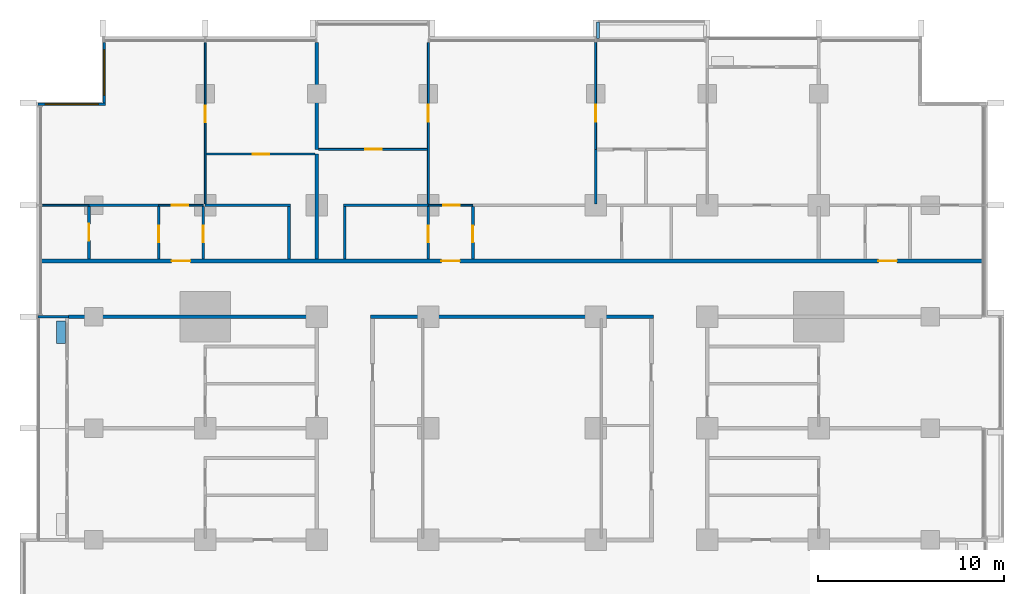
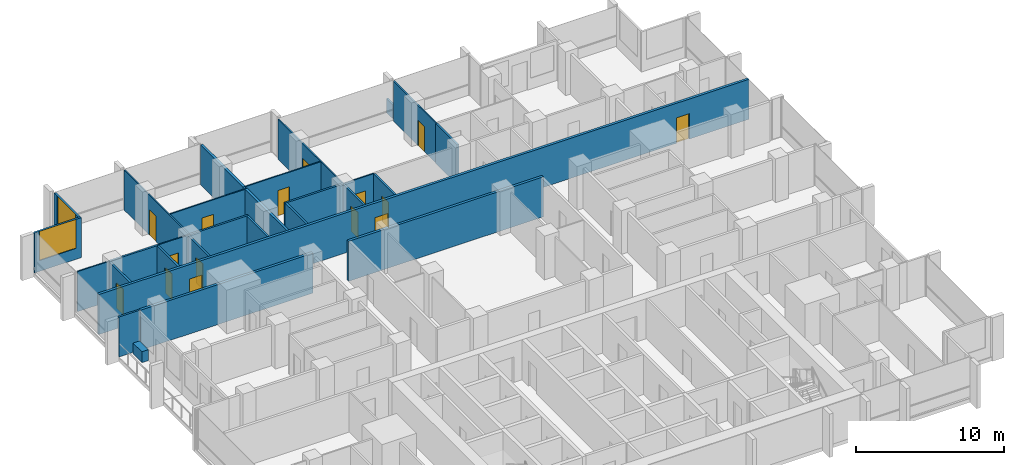
# One storey, part 11 of 17: 29 walls, 15 doors, 2 windows, 17 openings.
"""IFC4 building model written with IfcOpenShell, lengths in metres."""

from ifc_helpers import new_model, si_unit, direction, frame, frame_2d, origin, place, context, subcontext, project, spatial, rectangle, extrude, material, layer, layer_set, type_object, element, fill, save


model = new_model("IFC4")

# Units and contexts
model_context = context("Model", 3, precision=1e-05, world=origin(), true_north=direction((0.0, 1.0)))
body_context = subcontext(model_context, "Body", "Model", "MODEL_VIEW")
ifc_project = project(units=[si_unit("LENGTHUNIT", "METRE"), si_unit("AREAUNIT", "SQUARE_METRE"), si_unit("VOLUMEUNIT", "CUBIC_METRE"), si_unit("PLANEANGLEUNIT", "RADIAN"), si_unit("MASSUNIT", "GRAM", prefix="KILO")], contexts=[model_context])

# Site, building, storey
site_placement = place(None, origin())
site = spatial("IfcSite", under=ifc_project, at=site_placement, CompositionType="ELEMENT")
building_placement = place(site_placement, origin())
building = spatial("IfcBuilding", under=site, at=building_placement, Name="Finial Court Residences", CompositionType="ELEMENT")
storey_placement = place(building_placement, frame((0.0, 0.0, 102.699951171875)))
storey = spatial("IfcBuildingStorey", under=building, at=storey_placement, Name="L25", CompositionType="ELEMENT", Elevation=102.699951171875)

# Walls
ifc_material_1 = material(Name="Gypsum board")
ifc_layer_1 = layer(ifc_material_1, 0.02490234375)
ifc_material_2 = material(Name="Acoustic mineral wool in double frame")
ifc_layer_2 = layer(ifc_material_2, 0.14990234375)
ifc_layer_3 = layer(ifc_material_1, 0.02490234375)
ifc_layer_set_1 = layer_set([ifc_layer_1, ifc_layer_2, ifc_layer_3], Name="Acoustic party wall 200, 1 hour")
wall_type_1 = type_object("IfcWallType", Name="Acoustic party wall 200, 1 hour", PredefinedType="PARTITIONING", material=ifc_layer_set_1)
wall_1_placement = place(storey_placement, frame((-10.5, 10.60009765625, 0.0), z_axis=(0.0, 0.0, 1.0), x_axis=(0.0, 1.0, 0.0)))
element("IfcWall", 1, at=wall_1_placement, inside=storey, type_object=wall_type_1, Name="Partition L25-054", PredefinedType="PARTITIONING", context=body_context, shape_type="SweptSolid", body=[
    extrude(rectangle(XDim=5.64990234375, YDim=0.199951171875, at=frame_2d((2.824951171875, 0.0))), origin(), (0.0, 0.0, 1.0), 3.300048828125),
])
wall_2_placement = place(storey_placement, frame((-10.5, 16.5, 0.0), z_axis=(0.0, 0.0, 1.0), x_axis=(0.0, 1.0, 0.0)))
element("IfcWall", 2, at=wall_2_placement, inside=storey, type_object=wall_type_1, Name="Partition L25-055", PredefinedType="PARTITIONING", context=body_context, shape_type="SweptSolid", body=[
    extrude(rectangle(XDim=5.75, YDim=0.199951171875, at=frame_2d((2.875, 0.0))), origin(), (0.0, 0.0, 1.0), 3.300048828125),
])
ifc_layer_4 = layer(ifc_material_1, 0.02490234375)
ifc_layer_5 = layer(ifc_material_2, 0.14990234375)
ifc_layer_6 = layer(ifc_material_1, 0.02490234375)
ifc_layer_set_2 = layer_set([ifc_layer_4, ifc_layer_5, ifc_layer_6], Name="Corridor wall 200, 1 hour")
wall_type_2 = type_object("IfcWallType", Name="Corridor wall 200, 1 hour", PredefinedType="PARTITIONING", material=ifc_layer_set_2)
wall_3_placement = place(storey_placement, frame((-23.85009765625, 7.5, 0.0), z_axis=(0.0, 0.0, 1.0), x_axis=(1.0, 0.0, 0.0)))
element("IfcWall", 3, at=wall_3_placement, inside=storey, type_object=wall_type_2, Name="Partition L25-024", PredefinedType="PARTITIONING", context=body_context, shape_type="SweptSolid", body=[
    extrude(rectangle(XDim=13.4501953125, YDim=0.199951171875, at=frame_2d((6.72509765625, 0.0))), origin(), (0.0, 0.0, 1.0), 3.300048828125),
])
wall_4_placement = place(storey_placement, frame((-7.60009765625, 7.5, 0.0), z_axis=(0.0, 0.0, 1.0), x_axis=(1.0, 0.0, 0.0)))
element("IfcWall", 4, at=wall_4_placement, inside=storey, type_object=wall_type_2, Name="Partition L25-025", PredefinedType="PARTITIONING", context=body_context, shape_type="SweptSolid", body=[
    extrude(rectangle(XDim=15.2001953125, YDim=0.199951171875, at=frame_2d((7.60009765625, 0.0))), origin(), (0.0, 0.0, 1.0), 3.300048828125),
])

# Wall, openings, doors
wall_5_placement = place(storey_placement, frame((-25.35009765625, 10.5, 0.0), z_axis=(0.0, 0.0, 1.0), x_axis=(1.0, 0.0, 0.0)))
wall_5 = element("IfcWall", 5, at=wall_5_placement, inside=storey, type_object=wall_type_2, Name="Partition L25-027", PredefinedType="PARTITIONING", context=body_context, shape_type="SweptSolid", body=[
    extrude(rectangle(XDim=50.7001953125, YDim=0.199951171875, at=frame_2d((25.35009765625, 0.0))), origin(), (0.0, 0.0, 1.0), 3.300048828125),
])
opening_1_placement = place(wall_5_placement, frame((7.050048828125, 0.0, 0.0)))
opening_1 = element("IfcOpeningElement", 6, at=opening_1_placement, cuts=wall_5, Name="Opening L25-D010", PredefinedType="OPENING", context=body_context, shape_type="SweptSolid", body=[
    extrude(rectangle(XDim=1.0, YDim=2.10009765625, at=frame_2d((0.5, 1.050048828125))), frame((0.0, 0.10986328125, 0.0), z_axis=(0.0, -1.0, 0.0), x_axis=(1.0, 0.0, 0.0)), (0.0, 0.0, 1.0), 0.219970703125),
])
opening_2_placement = place(wall_5_placement, frame((21.550048828125, 0.0, 0.0)))
opening_2 = element("IfcOpeningElement", 7, at=opening_2_placement, cuts=wall_5, Name="Opening L25-D011", PredefinedType="OPENING", context=body_context, shape_type="SweptSolid", body=[
    extrude(rectangle(XDim=1.0, YDim=2.10009765625, at=frame_2d((0.5, 1.050048828125))), frame((0.0, 0.10986328125, 0.0), z_axis=(0.0, -1.0, 0.0), x_axis=(1.0, 0.0, 0.0)), (0.0, 0.0, 1.0), 0.219970703125),
])
opening_3_placement = place(wall_5_placement, frame((45.050048828125, 0.0, 0.0)))
opening_3 = element("IfcOpeningElement", 8, at=opening_3_placement, cuts=wall_5, Name="Opening L25-D012", PredefinedType="OPENING", context=body_context, shape_type="SweptSolid", body=[
    extrude(rectangle(XDim=1.0, YDim=2.10009765625, at=frame_2d((0.5, 1.050048828125))), frame((0.0, 0.10986328125, 0.0), z_axis=(0.0, -1.0, 0.0), x_axis=(1.0, 0.0, 0.0)), (0.0, 0.0, 1.0), 0.219970703125),
])
ifc_material_3 = material(Name="Timber door leaf in hollow metal frame", Category="wood")
door_type_1 = type_object("IfcDoorType", Name="Fire door set 1000 x 2100, 30 minutes", OperationType="SINGLE_SWING_LEFT", PredefinedType="DOOR", material=ifc_material_3)
door_1_placement = place(opening_1_placement, origin())
door_1 = element("IfcDoor", 9, at=door_1_placement, inside=storey, type_object=door_type_1, Name="Door L25-D010", OperationType="SINGLE_SWING_RIGHT", OverallHeight=2.10009765625, OverallWidth=1.0, PredefinedType="DOOR", context=body_context, shape_type="SweptSolid", body=[
    extrude(rectangle(XDim=1.0, YDim=2.10009765625, at=frame_2d((0.5, 1.050048828125))), frame((0.0, 0.02490234375, 0.0), z_axis=(0.0, -1.0, 0.0), x_axis=(1.0, 0.0, 0.0)), (0.0, 0.0, 1.0), 0.050048828125),
])
fill(opening_1, door_1)
door_2_placement = place(opening_2_placement, origin())
door_2 = element("IfcDoor", 10, at=door_2_placement, inside=storey, type_object=door_type_1, Name="Door L25-D011", OperationType="SINGLE_SWING_RIGHT", OverallHeight=2.10009765625, OverallWidth=1.0, PredefinedType="DOOR", context=body_context, shape_type="SweptSolid", body=[
    extrude(rectangle(XDim=1.0, YDim=2.10009765625, at=frame_2d((0.5, 1.050048828125))), frame((0.0, 0.02490234375, 0.0), z_axis=(0.0, -1.0, 0.0), x_axis=(1.0, 0.0, 0.0)), (0.0, 0.0, 1.0), 0.050048828125),
])
fill(opening_2, door_2)
door_3_placement = place(opening_3_placement, origin())
door_3 = element("IfcDoor", 11, at=door_3_placement, inside=storey, type_object=door_type_1, Name="Door L25-D012", OperationType="SINGLE_SWING_LEFT", OverallHeight=2.10009765625, OverallWidth=1.0, PredefinedType="DOOR", context=body_context, shape_type="SweptSolid", body=[
    extrude(rectangle(XDim=1.0, YDim=2.10009765625, at=frame_2d((0.5, 1.050048828125))), frame((0.0, 0.02490234375, 0.0), z_axis=(0.0, -1.0, 0.0), x_axis=(1.0, 0.0, 0.0)), (0.0, 0.0, 1.0), 0.050048828125),
])
fill(opening_3, door_3)

# Wall
ifc_layer_7 = layer(ifc_material_1, 0.012451171875)
ifc_material_4 = material(Name="Mineral wool in light-gauge frame")
ifc_layer_8 = layer(ifc_material_4, 0.074951171875)
ifc_layer_9 = layer(ifc_material_1, 0.012451171875)
ifc_layer_set_3 = layer_set([ifc_layer_7, ifc_layer_8, ifc_layer_9], Name="Gypsum board partition 100")
wall_type_3 = type_object("IfcWallType", Name="Gypsum board partition 100", PredefinedType="PARTITIONING", material=ifc_layer_set_3)
wall_6_placement = place(storey_placement, frame((-25.25, 13.5, 0.0), z_axis=(0.0, 0.0, 1.0), x_axis=(1.0, 0.0, 0.0)))
element("IfcWall", 12, at=wall_6_placement, inside=storey, type_object=wall_type_3, Name="Partition L25-028", PredefinedType="PARTITIONING", context=body_context, shape_type="SweptSolid", body=[
    extrude(rectangle(XDim=2.5, YDim=0.10009765625, at=frame_2d((1.25, 0.0))), origin(), (0.0, 0.0, 1.0), 3.300048828125),
])

# Wall, opening, door
wall_7_placement = place(storey_placement, frame((-19.0, 13.5, 0.0), z_axis=(0.0, 0.0, 1.0), x_axis=(1.0, 0.0, 0.0)))
wall_7 = element("IfcWall", 13, at=wall_7_placement, inside=storey, type_object=wall_type_3, Name="Partition L25-029", PredefinedType="PARTITIONING", context=body_context, shape_type="SweptSolid", body=[
    extrude(rectangle(XDim=2.39990234375, YDim=0.10009765625, at=frame_2d((1.199951171875, 0.0))), origin(), (0.0, 0.0, 1.0), 3.300048828125),
])
opening_4_placement = place(wall_7_placement, frame((0.699951171875, 0.0, 0.0)))
opening_4 = element("IfcOpeningElement", 14, at=opening_4_placement, cuts=wall_7, Name="Opening L25-D013", PredefinedType="OPENING", context=body_context, shape_type="SweptSolid", body=[
    extrude(rectangle(XDim=0.89990234375, YDim=2.10009765625, at=frame_2d((0.449951171875, 1.050048828125))), frame((0.0, 0.06005859375, 0.0), z_axis=(0.0, -1.0, 0.0), x_axis=(1.0, 0.0, 0.0)), (0.0, 0.0, 1.0), 0.1201171875),
])
ifc_material_5 = material(Name="Timber door leaf in timber frame", Category="wood")
door_type_2 = type_object("IfcDoorType", Name="Door set 900 x 2100", OperationType="SINGLE_SWING_LEFT", PredefinedType="DOOR", material=ifc_material_5)
door_4_placement = place(opening_4_placement, origin())
door_4 = element("IfcDoor", 15, at=door_4_placement, inside=storey, type_object=door_type_2, Name="Door L25-D013", OperationType="SINGLE_SWING_LEFT", OverallHeight=2.10009765625, OverallWidth=0.89990234375, PredefinedType="DOOR", context=body_context, shape_type="SweptSolid", body=[
    extrude(rectangle(XDim=0.89990234375, YDim=2.10009765625, at=frame_2d((0.449951171875, 1.050048828125))), frame((0.0, 0.02490234375, 0.0), z_axis=(0.0, -1.0, 0.0), x_axis=(1.0, 0.0, 0.0)), (0.0, 0.0, 1.0), 0.050048828125),
])
fill(opening_4, door_4)

wall_8_placement = place(storey_placement, frame((-4.5, 13.5, 0.0), z_axis=(0.0, 0.0, 1.0), x_axis=(1.0, 0.0, 0.0)))
wall_8 = element("IfcWall", 16, at=wall_8_placement, inside=storey, type_object=wall_type_3, Name="Partition L25-030", PredefinedType="PARTITIONING", context=body_context, shape_type="SweptSolid", body=[
    extrude(rectangle(XDim=2.39990234375, YDim=0.10009765625, at=frame_2d((1.199951171875, 0.0))), origin(), (0.0, 0.0, 1.0), 3.300048828125),
])
opening_5_placement = place(wall_8_placement, frame((0.800048828125, 0.0, 0.0)))
opening_5 = element("IfcOpeningElement", 17, at=opening_5_placement, cuts=wall_8, Name="Opening L25-D014", PredefinedType="OPENING", context=body_context, shape_type="SweptSolid", body=[
    extrude(rectangle(XDim=0.89990234375, YDim=2.10009765625, at=frame_2d((0.449951171875, 1.050048828125))), frame((0.0, 0.06005859375, 0.0), z_axis=(0.0, -1.0, 0.0), x_axis=(1.0, 0.0, 0.0)), (0.0, 0.0, 1.0), 0.1201171875),
])
door_5_placement = place(opening_5_placement, origin())
door_5 = element("IfcDoor", 18, at=door_5_placement, inside=storey, type_object=door_type_2, Name="Door L25-D014", OperationType="SINGLE_SWING_LEFT", OverallHeight=2.10009765625, OverallWidth=0.89990234375, PredefinedType="DOOR", context=body_context, shape_type="SweptSolid", body=[
    extrude(rectangle(XDim=0.89990234375, YDim=2.10009765625, at=frame_2d((0.449951171875, 1.050048828125))), frame((0.0, 0.02490234375, 0.0), z_axis=(0.0, -1.0, 0.0), x_axis=(1.0, 0.0, 0.0)), (0.0, 0.0, 1.0), 0.050048828125),
])
fill(opening_5, door_5)

wall_9_placement = place(storey_placement, frame((-16.449951171875, 16.25, 0.0), z_axis=(0.0, 0.0, 1.0), x_axis=(1.0, 0.0, 0.0)))
wall_9 = element("IfcWall", 19, at=wall_9_placement, inside=storey, type_object=wall_type_3, Name="Partition L25-037", PredefinedType="PARTITIONING", context=body_context, shape_type="SweptSolid", body=[
    extrude(rectangle(XDim=5.849853515625, YDim=0.10009765625, at=frame_2d((2.9248046875, 0.0))), origin(), (0.0, 0.0, 1.0), 3.300048828125),
])
opening_6_placement = place(wall_9_placement, frame((2.5, 0.0, 0.0)))
opening_6 = element("IfcOpeningElement", 20, at=opening_6_placement, cuts=wall_9, Name="Opening L25-D018", PredefinedType="OPENING", context=body_context, shape_type="SweptSolid", body=[
    extrude(rectangle(XDim=0.89990234375, YDim=2.10009765625, at=frame_2d((0.449951171875, 1.050048828125))), frame((0.0, 0.06005859375, 0.0), z_axis=(0.0, -1.0, 0.0), x_axis=(1.0, 0.0, 0.0)), (0.0, 0.0, 1.0), 0.1201171875),
])
door_6_placement = place(opening_6_placement, origin())
door_6 = element("IfcDoor", 21, at=door_6_placement, inside=storey, type_object=door_type_2, Name="Door L25-D018", OperationType="SINGLE_SWING_RIGHT", OverallHeight=2.10009765625, OverallWidth=0.89990234375, PredefinedType="DOOR", context=body_context, shape_type="SweptSolid", body=[
    extrude(rectangle(XDim=0.89990234375, YDim=2.10009765625, at=frame_2d((0.449951171875, 1.050048828125))), frame((0.0, 0.02490234375, 0.0), z_axis=(0.0, -1.0, 0.0), x_axis=(1.0, 0.0, 0.0)), (0.0, 0.0, 1.0), 0.050048828125),
])
fill(opening_6, door_6)

wall_10_placement = place(storey_placement, frame((-10.39990234375, 16.5, 0.0), z_axis=(0.0, 0.0, 1.0), x_axis=(1.0, 0.0, 0.0)))
wall_10 = element("IfcWall", 22, at=wall_10_placement, inside=storey, type_object=wall_type_3, Name="Partition L25-038", PredefinedType="PARTITIONING", context=body_context, shape_type="SweptSolid", body=[
    extrude(rectangle(XDim=5.849853515625, YDim=0.10009765625, at=frame_2d((2.9248046875, 0.0))), origin(), (0.0, 0.0, 1.0), 3.300048828125),
])
opening_7_placement = place(wall_10_placement, frame((2.5, 0.0, 0.0)))
opening_7 = element("IfcOpeningElement", 23, at=opening_7_placement, cuts=wall_10, Name="Opening L25-D019", PredefinedType="OPENING", context=body_context, shape_type="SweptSolid", body=[
    extrude(rectangle(XDim=0.89990234375, YDim=2.10009765625, at=frame_2d((0.449951171875, 1.050048828125))), frame((0.0, 0.06005859375, 0.0), z_axis=(0.0, -1.0, 0.0), x_axis=(1.0, 0.0, 0.0)), (0.0, 0.0, 1.0), 0.1201171875),
])
door_7_placement = place(opening_7_placement, origin())
door_7 = element("IfcDoor", 24, at=door_7_placement, inside=storey, type_object=door_type_2, Name="Door L25-D019", OperationType="SINGLE_SWING_LEFT", OverallHeight=2.10009765625, OverallWidth=0.89990234375, PredefinedType="DOOR", context=body_context, shape_type="SweptSolid", body=[
    extrude(rectangle(XDim=0.89990234375, YDim=2.10009765625, at=frame_2d((0.449951171875, 1.050048828125))), frame((0.0, 0.02490234375, 0.0), z_axis=(0.0, -1.0, 0.0), x_axis=(1.0, 0.0, 0.0)), (0.0, 0.0, 1.0), 0.050048828125),
])
fill(opening_7, door_7)

wall_11_placement = place(storey_placement, frame((-16.5, 13.574951171875, 0.0), z_axis=(0.0, 0.0, 1.0), x_axis=(0.0, 1.0, 0.0)))
wall_11 = element("IfcWall", 25, at=wall_11_placement, inside=storey, type_object=wall_type_3, Name="Partition L25-047", PredefinedType="PARTITIONING", context=body_context, shape_type="SweptSolid", body=[
    extrude(rectangle(XDim=8.675048828125, YDim=0.10009765625, at=frame_2d((4.33740234375, 0.0))), origin(), (0.0, 0.0, 1.0), 3.300048828125),
])
opening_8_placement = place(wall_11_placement, frame((4.375, 0.0, 0.0)))
opening_8 = element("IfcOpeningElement", 26, at=opening_8_placement, cuts=wall_11, Name="Opening L25-D028", PredefinedType="OPENING", context=body_context, shape_type="SweptSolid", body=[
    extrude(rectangle(XDim=0.89990234375, YDim=2.10009765625, at=frame_2d((0.449951171875, 1.050048828125))), frame((0.0, 0.06005859375, 0.0), z_axis=(0.0, -1.0, 0.0), x_axis=(1.0, 0.0, 0.0)), (0.0, 0.0, 1.0), 0.1201171875),
])
door_8_placement = place(opening_8_placement, origin())
door_8 = element("IfcDoor", 27, at=door_8_placement, inside=storey, type_object=door_type_2, Name="Door L25-D028", OperationType="SINGLE_SWING_RIGHT", OverallHeight=2.10009765625, OverallWidth=0.89990234375, PredefinedType="DOOR", context=body_context, shape_type="SweptSolid", body=[
    extrude(rectangle(XDim=0.89990234375, YDim=2.10009765625, at=frame_2d((0.449951171875, 1.050048828125))), frame((0.0, 0.02490234375, 0.0), z_axis=(0.0, -1.0, 0.0), x_axis=(1.0, 0.0, 0.0)), (0.0, 0.0, 1.0), 0.050048828125),
])
fill(opening_8, door_8)

wall_12_placement = place(storey_placement, frame((-4.5, 13.574951171875, 0.0), z_axis=(0.0, 0.0, 1.0), x_axis=(0.0, 1.0, 0.0)))
wall_12 = element("IfcWall", 28, at=wall_12_placement, inside=storey, type_object=wall_type_3, Name="Partition L25-059", PredefinedType="PARTITIONING", context=body_context, shape_type="SweptSolid", body=[
    extrude(rectangle(XDim=8.675048828125, YDim=0.10009765625, at=frame_2d((4.33740234375, 0.0))), origin(), (0.0, 0.0, 1.0), 3.300048828125),
])
opening_9_placement = place(wall_12_placement, frame((4.425048828125, 0.0, 0.0)))
opening_9 = element("IfcOpeningElement", 29, at=opening_9_placement, cuts=wall_12, Name="Opening L25-D035", PredefinedType="OPENING", context=body_context, shape_type="SweptSolid", body=[
    extrude(rectangle(XDim=0.89990234375, YDim=2.10009765625, at=frame_2d((0.449951171875, 1.050048828125))), frame((0.0, 0.06005859375, 0.0), z_axis=(0.0, -1.0, 0.0), x_axis=(1.0, 0.0, 0.0)), (0.0, 0.0, 1.0), 0.1201171875),
])
door_9_placement = place(opening_9_placement, origin())
door_9 = element("IfcDoor", 30, at=door_9_placement, inside=storey, type_object=door_type_2, Name="Door L25-D035", OperationType="SINGLE_SWING_LEFT", OverallHeight=2.10009765625, OverallWidth=0.89990234375, PredefinedType="DOOR", context=body_context, shape_type="SweptSolid", body=[
    extrude(rectangle(XDim=0.89990234375, YDim=2.10009765625, at=frame_2d((0.449951171875, 1.050048828125))), frame((0.0, 0.02490234375, 0.0), z_axis=(0.0, -1.0, 0.0), x_axis=(1.0, 0.0, 0.0)), (0.0, 0.0, 1.0), 0.050048828125),
])
fill(opening_9, door_9)

wall_13_placement = place(storey_placement, frame((4.5, 16.5, 0.0), z_axis=(0.0, 0.0, 1.0), x_axis=(0.0, 1.0, 0.0)))
wall_13 = element("IfcWall", 31, at=wall_13_placement, inside=storey, type_object=wall_type_3, Name="Partition L25-062", PredefinedType="PARTITIONING", context=body_context, shape_type="SweptSolid", body=[
    extrude(rectangle(XDim=5.75, YDim=0.10009765625, at=frame_2d((2.875, 0.0))), origin(), (0.0, 0.0, 1.0), 3.300048828125),
])
opening_10_placement = place(wall_13_placement, frame((1.5, 0.0, 0.0)))
opening_10 = element("IfcOpeningElement", 32, at=opening_10_placement, cuts=wall_13, Name="Opening L25-D038", PredefinedType="OPENING", context=body_context, shape_type="SweptSolid", body=[
    extrude(rectangle(XDim=0.89990234375, YDim=2.10009765625, at=frame_2d((0.449951171875, 1.050048828125))), frame((0.0, 0.06005859375, 0.0), z_axis=(0.0, -1.0, 0.0), x_axis=(1.0, 0.0, 0.0)), (0.0, 0.0, 1.0), 0.1201171875),
])
door_10_placement = place(opening_10_placement, origin())
door_10 = element("IfcDoor", 33, at=door_10_placement, inside=storey, type_object=door_type_2, Name="Door L25-D038", OperationType="SINGLE_SWING_LEFT", OverallHeight=2.10009765625, OverallWidth=0.89990234375, PredefinedType="DOOR", context=body_context, shape_type="SweptSolid", body=[
    extrude(rectangle(XDim=0.89990234375, YDim=2.10009765625, at=frame_2d((0.449951171875, 1.050048828125))), frame((0.0, 0.02490234375, 0.0), z_axis=(0.0, -1.0, 0.0), x_axis=(1.0, 0.0, 0.0)), (0.0, 0.0, 1.0), 0.050048828125),
])
fill(opening_10, door_10)

# Walls
ifc_material_6 = material(Name="Moisture-resistant gypsum board")
ifc_layer_10 = layer(ifc_material_6, 0.012451171875)
ifc_layer_11 = layer(ifc_material_4, 0.125)
ifc_layer_12 = layer(ifc_material_6, 0.012451171875)
ifc_layer_set_4 = layer_set([ifc_layer_10, ifc_layer_11, ifc_layer_12], Name="Gypsum board wet-area partition 150")
wall_type_4 = type_object("IfcWallType", Name="Gypsum board wet-area partition 150", PredefinedType="PARTITIONING", material=ifc_layer_set_4)
wall_14_placement = place(storey_placement, frame((-22.75, 13.5, 0.0), z_axis=(0.0, 0.0, 1.0), x_axis=(1.0, 0.0, 0.0)))
element("IfcWall", 34, at=wall_14_placement, inside=storey, type_object=wall_type_4, Name="Partition L25-032", PredefinedType="PARTITIONING", context=body_context, shape_type="SweptSolid", body=[
    extrude(rectangle(XDim=3.75, YDim=0.14990234375, at=frame_2d((1.875, 0.0))), origin(), (0.0, 0.0, 1.0), 3.300048828125),
])
for number, where, z_axis, x_axis, name in (
    (35, (-16.5, 13.5, 0.0), (0.0, 0.0, 1.0), (1.0, 0.0, 0.0), "Partition L25-033"),
    (36, (-9.074951171875, 13.5, 0.0), (0.0, 0.0, 1.0), (1.0, 0.0, 0.0), "Partition L25-034"),
):
    element("IfcWall", number, at=place(storey_placement, frame(where, z_axis=z_axis, x_axis=x_axis)), inside=storey, type_object=wall_type_4, Name=name, PredefinedType="PARTITIONING", context=body_context, shape_type="SweptSolid", body=[
        extrude(rectangle(XDim=4.574951171875, YDim=0.14990234375, at=frame_2d((2.28759765625, 0.0))), origin(), (0.0, 0.0, 1.0), 3.300048828125),
    ])

# Wall, opening, door
wall_15_placement = place(storey_placement, frame((-22.75, 10.60009765625, 0.0), z_axis=(0.0, 0.0, 1.0), x_axis=(0.0, 1.0, 0.0)))
wall_15 = element("IfcWall", 37, at=wall_15_placement, inside=storey, type_object=wall_type_4, Name="Partition L25-041", PredefinedType="PARTITIONING", context=body_context, shape_type="SweptSolid", body=[
    extrude(rectangle(XDim=2.824951171875, YDim=0.14990234375, at=frame_2d((1.41259765625, 0.0))), origin(), (0.0, 0.0, 1.0), 3.300048828125),
])
opening_11_placement = place(wall_15_placement, frame((1.0, 0.0, 0.0)))
opening_11 = element("IfcOpeningElement", 38, at=opening_11_placement, cuts=wall_15, Name="Opening L25-D022", PredefinedType="OPENING", context=body_context, shape_type="SweptSolid", body=[
    extrude(rectangle(XDim=0.89990234375, YDim=2.10009765625, at=frame_2d((0.449951171875, 1.050048828125))), frame((0.0, 0.0849609375, 0.0), z_axis=(0.0, -1.0, 0.0), x_axis=(1.0, 0.0, 0.0)), (0.0, 0.0, 1.0), 0.169921875),
])
door_11_placement = place(opening_11_placement, origin())
door_11 = element("IfcDoor", 39, at=door_11_placement, inside=storey, type_object=door_type_2, Name="Door L25-D022", OperationType="SINGLE_SWING_RIGHT", OverallHeight=2.10009765625, OverallWidth=0.89990234375, PredefinedType="DOOR", context=body_context, shape_type="SweptSolid", body=[
    extrude(rectangle(XDim=0.89990234375, YDim=2.10009765625, at=frame_2d((0.449951171875, 1.050048828125))), frame((0.0, 0.02490234375, 0.0), z_axis=(0.0, -1.0, 0.0), x_axis=(1.0, 0.0, 0.0)), (0.0, 0.0, 1.0), 0.050048828125),
])
fill(opening_11, door_11)

wall_16_placement = place(storey_placement, frame((-19.0, 10.60009765625, 0.0), z_axis=(0.0, 0.0, 1.0), x_axis=(0.0, 1.0, 0.0)))
wall_16 = element("IfcWall", 40, at=wall_16_placement, inside=storey, type_object=wall_type_4, Name="Partition L25-043", PredefinedType="PARTITIONING", context=body_context, shape_type="SweptSolid", body=[
    extrude(rectangle(XDim=2.824951171875, YDim=0.14990234375, at=frame_2d((1.41259765625, 0.0))), origin(), (0.0, 0.0, 1.0), 3.300048828125),
])
opening_12_placement = place(wall_16_placement, frame((0.89990234375, 0.0, 0.0)))
opening_12 = element("IfcOpeningElement", 41, at=opening_12_placement, cuts=wall_16, Name="Opening L25-D024", PredefinedType="OPENING", context=body_context, shape_type="SweptSolid", body=[
    extrude(rectangle(XDim=0.89990234375, YDim=2.10009765625, at=frame_2d((0.449951171875, 1.050048828125))), frame((0.0, 0.0849609375, 0.0), z_axis=(0.0, -1.0, 0.0), x_axis=(1.0, 0.0, 0.0)), (0.0, 0.0, 1.0), 0.169921875),
])
door_12_placement = place(opening_12_placement, origin())
door_12 = element("IfcDoor", 42, at=door_12_placement, inside=storey, type_object=door_type_2, Name="Door L25-D024", OperationType="SINGLE_SWING_LEFT", OverallHeight=2.10009765625, OverallWidth=0.89990234375, PredefinedType="DOOR", context=body_context, shape_type="SweptSolid", body=[
    extrude(rectangle(XDim=0.89990234375, YDim=2.10009765625, at=frame_2d((0.449951171875, 1.050048828125))), frame((0.0, 0.02490234375, 0.0), z_axis=(0.0, -1.0, 0.0), x_axis=(1.0, 0.0, 0.0)), (0.0, 0.0, 1.0), 0.050048828125),
])
fill(opening_12, door_12)

wall_17_placement = place(storey_placement, frame((-16.60009765625, 10.60009765625, 0.0), z_axis=(0.0, 0.0, 1.0), x_axis=(0.0, 1.0, 0.0)))
wall_17 = element("IfcWall", 43, at=wall_17_placement, inside=storey, type_object=wall_type_4, Name="Partition L25-044", PredefinedType="PARTITIONING", context=body_context, shape_type="SweptSolid", body=[
    extrude(rectangle(XDim=2.824951171875, YDim=0.14990234375, at=frame_2d((1.41259765625, 0.0))), origin(), (0.0, 0.0, 1.0), 3.300048828125),
])
opening_13_placement = place(wall_17_placement, frame((0.89990234375, 0.0, 0.0)))
opening_13 = element("IfcOpeningElement", 44, at=opening_13_placement, cuts=wall_17, Name="Opening L25-D025", PredefinedType="OPENING", context=body_context, shape_type="SweptSolid", body=[
    extrude(rectangle(XDim=0.89990234375, YDim=2.10009765625, at=frame_2d((0.449951171875, 1.050048828125))), frame((0.0, 0.0849609375, 0.0), z_axis=(0.0, -1.0, 0.0), x_axis=(1.0, 0.0, 0.0)), (0.0, 0.0, 1.0), 0.169921875),
])
door_13_placement = place(opening_13_placement, origin())
door_13 = element("IfcDoor", 45, at=door_13_placement, inside=storey, type_object=door_type_2, Name="Door L25-D025", OperationType="SINGLE_SWING_LEFT", OverallHeight=2.10009765625, OverallWidth=0.89990234375, PredefinedType="DOOR", context=body_context, shape_type="SweptSolid", body=[
    extrude(rectangle(XDim=0.89990234375, YDim=2.10009765625, at=frame_2d((0.449951171875, 1.050048828125))), frame((0.0, 0.02490234375, 0.0), z_axis=(0.0, -1.0, 0.0), x_axis=(1.0, 0.0, 0.0)), (0.0, 0.0, 1.0), 0.050048828125),
])
fill(opening_13, door_13)

# Walls
for number, where, z_axis, x_axis, name in (
    (46, (-12.0, 10.60009765625, 0.0), (0.0, 0.0, 1.0), (0.0, 1.0, 0.0), "Partition L25-052"),
    (47, (-9.0, 10.60009765625, 0.0), (0.0, 0.0, 1.0), (0.0, 1.0, 0.0), "Partition L25-056"),
):
    element("IfcWall", number, at=place(storey_placement, frame(where, z_axis=z_axis, x_axis=x_axis)), inside=storey, type_object=wall_type_4, Name=name, PredefinedType="PARTITIONING", context=body_context, shape_type="SweptSolid", body=[
        extrude(rectangle(XDim=2.824951171875, YDim=0.14990234375, at=frame_2d((1.41259765625, 0.0))), origin(), (0.0, 0.0, 1.0), 3.300048828125),
    ])

# Wall, opening, door
wall_18_placement = place(storey_placement, frame((-4.5, 10.60009765625, 0.0), z_axis=(0.0, 0.0, 1.0), x_axis=(0.0, 1.0, 0.0)))
wall_18 = element("IfcWall", 48, at=wall_18_placement, inside=storey, type_object=wall_type_4, Name="Partition L25-060", PredefinedType="PARTITIONING", context=body_context, shape_type="SweptSolid", body=[
    extrude(rectangle(XDim=2.824951171875, YDim=0.14990234375, at=frame_2d((1.41259765625, 0.0))), origin(), (0.0, 0.0, 1.0), 3.300048828125),
])
opening_14_placement = place(wall_18_placement, frame((0.89990234375, 0.0, 0.0)))
opening_14 = element("IfcOpeningElement", 49, at=opening_14_placement, cuts=wall_18, Name="Opening L25-D036", PredefinedType="OPENING", context=body_context, shape_type="SweptSolid", body=[
    extrude(rectangle(XDim=0.89990234375, YDim=2.10009765625, at=frame_2d((0.449951171875, 1.050048828125))), frame((0.0, 0.0849609375, 0.0), z_axis=(0.0, -1.0, 0.0), x_axis=(1.0, 0.0, 0.0)), (0.0, 0.0, 1.0), 0.169921875),
])
door_14_placement = place(opening_14_placement, origin())
door_14 = element("IfcDoor", 50, at=door_14_placement, inside=storey, type_object=door_type_2, Name="Door L25-D036", OperationType="SINGLE_SWING_RIGHT", OverallHeight=2.10009765625, OverallWidth=0.89990234375, PredefinedType="DOOR", context=body_context, shape_type="SweptSolid", body=[
    extrude(rectangle(XDim=0.89990234375, YDim=2.10009765625, at=frame_2d((0.449951171875, 1.050048828125))), frame((0.0, 0.02490234375, 0.0), z_axis=(0.0, -1.0, 0.0), x_axis=(1.0, 0.0, 0.0)), (0.0, 0.0, 1.0), 0.050048828125),
])
fill(opening_14, door_14)

wall_19_placement = place(storey_placement, frame((-2.10009765625, 10.60009765625, 0.0), z_axis=(0.0, 0.0, 1.0), x_axis=(0.0, 1.0, 0.0)))
wall_19 = element("IfcWall", 51, at=wall_19_placement, inside=storey, type_object=wall_type_4, Name="Partition L25-061", PredefinedType="PARTITIONING", context=body_context, shape_type="SweptSolid", body=[
    extrude(rectangle(XDim=2.824951171875, YDim=0.14990234375, at=frame_2d((1.41259765625, 0.0))), origin(), (0.0, 0.0, 1.0), 3.300048828125),
])
opening_15_placement = place(wall_19_placement, frame((0.89990234375, 0.0, 0.0)))
opening_15 = element("IfcOpeningElement", 52, at=opening_15_placement, cuts=wall_19, Name="Opening L25-D037", PredefinedType="OPENING", context=body_context, shape_type="SweptSolid", body=[
    extrude(rectangle(XDim=0.89990234375, YDim=2.10009765625, at=frame_2d((0.449951171875, 1.050048828125))), frame((0.0, 0.0849609375, 0.0), z_axis=(0.0, -1.0, 0.0), x_axis=(1.0, 0.0, 0.0)), (0.0, 0.0, 1.0), 0.169921875),
])
door_15_placement = place(opening_15_placement, origin())
door_15 = element("IfcDoor", 53, at=door_15_placement, inside=storey, type_object=door_type_2, Name="Door L25-D037", OperationType="SINGLE_SWING_RIGHT", OverallHeight=2.10009765625, OverallWidth=0.89990234375, PredefinedType="DOOR", context=body_context, shape_type="SweptSolid", body=[
    extrude(rectangle(XDim=0.89990234375, YDim=2.10009765625, at=frame_2d((0.449951171875, 1.050048828125))), frame((0.0, 0.02490234375, 0.0), z_axis=(0.0, -1.0, 0.0), x_axis=(1.0, 0.0, 0.0)), (0.0, 0.0, 1.0), 0.050048828125),
])
fill(opening_15, door_15)

# Walls
wall_20_placement = place(storey_placement, frame((4.5, 13.574951171875, 0.0), z_axis=(0.0, 0.0, 1.0), x_axis=(0.0, 1.0, 0.0)))
element("IfcWall", 54, at=wall_20_placement, inside=storey, type_object=wall_type_4, Name="Partition L25-063", PredefinedType="PARTITIONING", context=body_context, shape_type="SweptSolid", body=[
    extrude(rectangle(XDim=2.925048828125, YDim=0.14990234375, at=frame_2d((1.46240234375, 0.0))), origin(), (0.0, 0.0, 1.0), 3.300048828125),
])
ifc_material_7 = material(Name="Concrete C35/45", Category="concrete")
ifc_layer_13 = layer(ifc_material_7, 0.14990234375)
ifc_layer_set_5 = layer_set([ifc_layer_13], Name="Ledge parapet, Concrete C35/45 150")
wall_type_5 = type_object("IfcWallType", Name="Ledge parapet, Concrete C35/45 150", PredefinedType="PARAPET", material=ifc_layer_set_5)
wall_21_placement = place(storey_placement, frame((4.625, 22.4599609375, 0.0), z_axis=(0.0, 0.0, 1.0), x_axis=(0.0, 1.0, 0.0)))
element("IfcWall", 55, at=wall_21_placement, inside=storey, type_object=wall_type_5, Name="E-L25-LED1-P1", PredefinedType="PARAPET", context=body_context, shape_type="SweptSolid", body=[
    extrude(rectangle(XDim=0.89013671875, YDim=0.14990234375, at=frame_2d((0.445068359375, 0.0))), origin(), (0.0, 0.0, 1.0), 1.150146484375),
])

# Wall, opening, window
ifc_material_8 = material(Name="Natural limestone", Category="masonry")
ifc_layer_14 = layer(ifc_material_8, 0.14990234375)
ifc_layer_set_6 = layer_set([ifc_layer_14], Name="Limestone clad wall 150")
wall_type_6 = type_object("IfcWallType", Name="Limestone clad wall 150", PredefinedType="SOLIDWALL", material=ifc_layer_set_6)
wall_22_placement = place(storey_placement, frame((-21.925048828125, 19.0, 0.0), z_axis=(0.0, 0.0, 1.0), x_axis=(0.0, 1.0, 0.0)))
wall_22 = element("IfcWall", 56, at=wall_22_placement, inside=storey, type_object=wall_type_6, Name="E-L25-NWW18", PredefinedType="SOLIDWALL", context=body_context, shape_type="SweptSolid", body=[
    extrude(rectangle(XDim=3.25, YDim=0.14990234375, at=frame_2d((1.625, 0.0))), origin(), (0.0, 0.0, 1.0), 3.300048828125),
])
opening_16_placement = place(wall_22_placement, frame((0.39990234375, 0.0, 0.89990234375)))
opening_16 = element("IfcOpeningElement", 57, at=opening_16_placement, cuts=wall_22, Name="Opening WE25-05", PredefinedType="OPENING", context=body_context, shape_type="SweptSolid", body=[
    extrude(rectangle(XDim=2.449951171875, YDim=2.39990234375, at=frame_2d((1.22509765625, 1.199951171875))), frame((0.0, 0.0849609375, 0.0), z_axis=(0.0, -1.0, 0.0), x_axis=(1.0, 0.0, 0.0)), (0.0, 0.0, 1.0), 0.169921875),
])
ifc_material_9 = material(Name="Clear low-e glass", Category="glass")
window_type_1 = type_object("IfcWindowType", Name="Corner window 2450 x 2400", PartitioningType="SINGLE_PANEL", PredefinedType="WINDOW", material=ifc_material_9)
window_1_placement = place(opening_16_placement, origin())
window_1 = element("IfcWindow", 58, at=window_1_placement, inside=storey, type_object=window_type_1, Name="E-L25-NWW18-W1", OverallHeight=2.39990234375, OverallWidth=2.449951171875, PartitioningType="SINGLE_PANEL", PredefinedType="WINDOW", context=body_context, shape_type="SweptSolid", body=[
    extrude(rectangle(XDim=2.449951171875, YDim=2.39990234375, at=frame_2d((1.22509765625, 1.199951171875))), frame((0.0, 0.030029296875, 0.0), z_axis=(0.0, -1.0, 0.0), x_axis=(1.0, 0.0, 0.0)), (0.0, 0.0, 1.0), 0.06005859375),
])
fill(opening_16, window_1)

wall_23_placement = place(storey_placement, frame((-25.5, 18.925048828125, 0.0), z_axis=(0.0, 0.0, 1.0), x_axis=(1.0, 0.0, 0.0)))
wall_23 = element("IfcWall", 59, at=wall_23_placement, inside=storey, type_object=wall_type_6, Name="E-L25-NWN19", PredefinedType="SOLIDWALL", context=body_context, shape_type="SweptSolid", body=[
    extrude(rectangle(XDim=3.64990234375, YDim=0.14990234375, at=frame_2d((1.824951171875, 0.0))), origin(), (0.0, 0.0, 1.0), 3.300048828125),
])
opening_17_placement = place(wall_23_placement, frame((0.39990234375, 0.0, 0.89990234375)))
opening_17 = element("IfcOpeningElement", 60, at=opening_17_placement, cuts=wall_23, Name="Opening WE25-06", PredefinedType="OPENING", context=body_context, shape_type="SweptSolid", body=[
    extrude(rectangle(XDim=2.85009765625, YDim=2.39990234375, at=frame_2d((1.425048828125, 1.199951171875))), frame((0.0, 0.0849609375, 0.0), z_axis=(0.0, -1.0, 0.0), x_axis=(1.0, 0.0, 0.0)), (0.0, 0.0, 1.0), 0.169921875),
])
window_type_2 = type_object("IfcWindowType", Name="Corner window 2850 x 2400", PartitioningType="SINGLE_PANEL", PredefinedType="WINDOW", material=ifc_material_9)
window_2_placement = place(opening_17_placement, origin())
window_2 = element("IfcWindow", 61, at=window_2_placement, inside=storey, type_object=window_type_2, Name="E-L25-NWN19-W1", OverallHeight=2.39990234375, OverallWidth=2.85009765625, PartitioningType="SINGLE_PANEL", PredefinedType="WINDOW", context=body_context, shape_type="SweptSolid", body=[
    extrude(rectangle(XDim=2.85009765625, YDim=2.39990234375, at=frame_2d((1.425048828125, 1.199951171875))), frame((0.0, 0.030029296875, 0.0), z_axis=(0.0, -1.0, 0.0), x_axis=(1.0, 0.0, 0.0)), (0.0, 0.0, 1.0), 0.06005859375),
])
fill(opening_17, window_2)

# Walls
wall_24_placement = place(storey_placement, frame((-23.85009765625, 7.5, 0.0), z_axis=(0.0, 0.0, 1.0), x_axis=(-1.0, 0.0, 0.0)))
element("IfcWall", 62, at=wall_24_placement, inside=storey, type_object=wall_type_6, Name="E-L25-BALW4-P2", PredefinedType="SOLIDWALL", context=body_context, shape_type="SweptSolid", body=[
    extrude(rectangle(XDim=1.64990234375, YDim=0.14990234375, at=frame_2d((0.824951171875, 0.0))), origin(), (0.0, 0.0, 1.0), 3.300048828125),
])
ifc_material_10 = material(Name="Concrete C40/50", Category="concrete")
ifc_layer_15 = layer(ifc_material_10, 0.10009765625)
ifc_material_11 = material(Name="Planting soil", Category="soil")
ifc_layer_16 = layer(ifc_material_11, 0.300048828125)
ifc_layer_17 = layer(ifc_material_10, 0.10009765625)
ifc_layer_set_7 = layer_set([ifc_layer_15, ifc_layer_16, ifc_layer_17], Name="Planter wall, balcony")
wall_type_7 = type_object("IfcWallType", Name="Planter wall, balcony", PredefinedType="USERDEFINED", material=ifc_layer_set_7)
wall_25_placement = place(storey_placement, frame((-24.25, 6.074951171875, 0.0), z_axis=(0.0, 0.0, 1.0), x_axis=(0.0, 1.0, 0.0)))
element("IfcWall", 63, at=wall_25_placement, inside=storey, type_object=wall_type_7, Name="E-L25-BALW4-PL", ObjectType="PLANTER", PredefinedType="USERDEFINED", context=body_context, shape_type="SweptSolid", body=[
    extrude(rectangle(XDim=1.199951171875, YDim=0.5, at=frame_2d((0.60009765625, 0.0))), origin(), (0.0, 0.0, 1.0), 0.900146484375),
])

save(model, "model.ifc")
